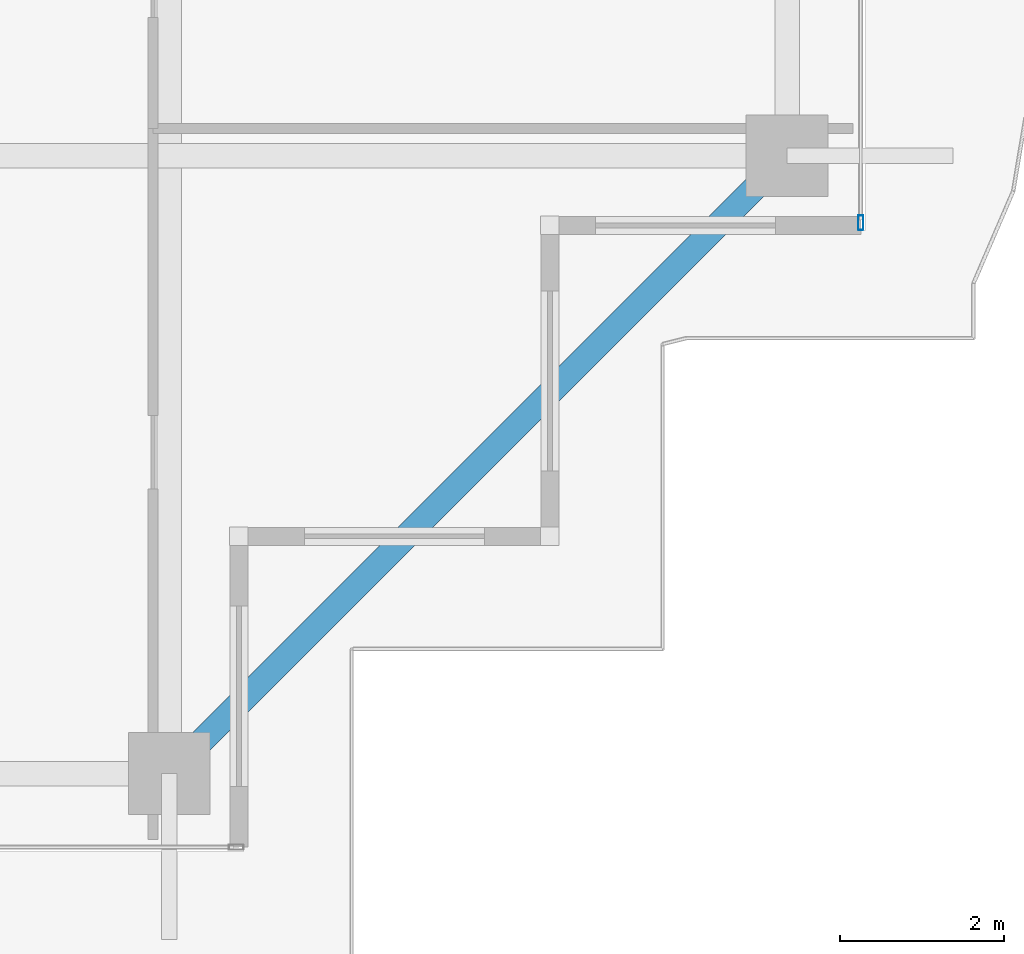
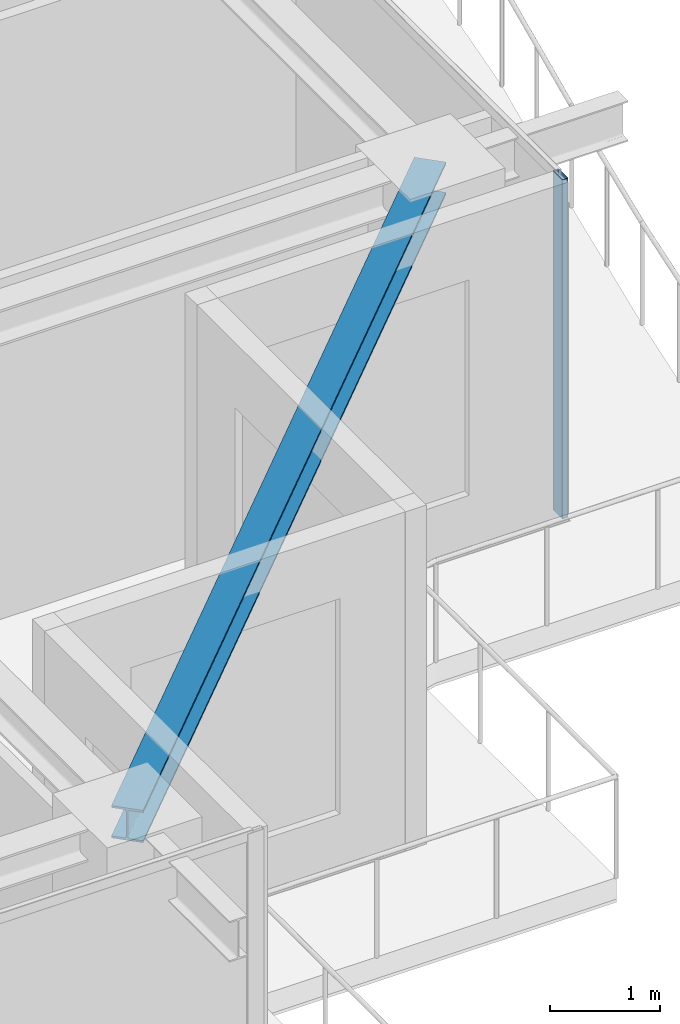
# One storey, part 13 of 40: 1 beam, 1 member, 1 element without a shape of its own.
"""IFC4 building model written with IfcOpenShell, lengths in metres."""

from ifc_helpers import new_model, si_unit, direction, frame, origin, origin_2d, place, context, subcontext, project, spatial, hollow_rectangle, i_section, extrude, source, transform, mapped, material, layer, layer_set, material_profile, profile_set, type_object, element, aggregate, save


model = new_model("IFC4")

# Units and contexts
model_context = context("Model", 3, precision=1e-05, world=origin(), true_north=direction((0.0, 1.0)))
body_context = subcontext(model_context, "Body", "Model", "MODEL_VIEW")
ifc_project = project(units=[si_unit("LENGTHUNIT", "METRE"), si_unit("AREAUNIT", "SQUARE_METRE"), si_unit("VOLUMEUNIT", "CUBIC_METRE"), si_unit("PLANEANGLEUNIT", "RADIAN"), si_unit("MASSUNIT", "GRAM", prefix="KILO")], contexts=[model_context])

# Site, building, storey
site_placement = place(None, origin())
site = spatial("IfcSite", under=ifc_project, at=site_placement, CompositionType="ELEMENT")
building_placement = place(site_placement, origin())
building = spatial("IfcBuilding", under=site, at=building_placement, Name="Serunith Strait Residences", CompositionType="ELEMENT")
storey_placement = place(building_placement, frame((0.0, 0.0, 313.699951171875)))
storey = spatial("IfcBuildingStorey", under=building, at=storey_placement, Name="L78", CompositionType="ELEMENT", Elevation=313.699951171875)

# Beam
ifc_material_1 = material(Name="Steel S355J2", Category="steel")
ifc_material_profile_1 = material_profile(ifc_material_1, i_section(OverallWidth=0.300048828125, OverallDepth=0.360107421875, WebThickness=0.012451171875, FlangeThickness=0.0224609375, FilletRadius=0.027099609375, at=origin_2d()), Name="HEB 360")
ifc_profile_set_1 = profile_set([ifc_material_profile_1], Name="Steel S355J2")
beam_type = type_object("IfcBeamType", Name="BM-HEB360", PredefinedType="BEAM", material=ifc_profile_set_1)
shared_shape_1 = source(origin(), body_context, "Body", "SweptSolid", [
    extrude(i_section(OverallWidth=0.300048828125, OverallDepth=0.360107421875, WebThickness=0.012451171875, FlangeThickness=0.0224609375, FilletRadius=0.027099609375, at=origin_2d()), origin(), (0.0, 0.0, 1.0), 10.677490234375),
])
beam_placement = place(storey_placement, frame((47.14990234375, 3.300048828125, 3.5771484375), z_axis=(0.707106781187, 0.707106781187, 0.0), x_axis=(-0.707106781187, 0.707106781187, 0.0)))
element("IfcBeam", 1, at=beam_placement, inside=storey, type_object=beam_type, Name="L78 Perimeter Ring Beam 04", PredefinedType="BEAM", context=body_context, shape_type="MappedRepresentation", body=[
    mapped(shared_shape_1, transform((0.0, 0.0, 0.0), scale=1.0)),
])

# Curtain wall, member
ifc_material_2 = material(Name="Brushed Stainless-Silver Aluminium", Category="aluminium")
ifc_layer = layer(ifc_material_2, 0.199951171875, Name="Brushed Stainless-Silver Aluminium")
ifc_layer_set = layer_set([ifc_layer], Name="Brushed Stainless-Silver Aluminium")
curtain_wall_type = type_object("IfcCurtainWallType", Name="CW-SYS5", PredefinedType="NOTDEFINED", material=ifc_layer_set)
curtain_wall_placement = place(storey_placement, origin())
curtain_wall = element("IfcCurtainWall", 2, at=curtain_wall_placement, inside=storey, type_object=curtain_wall_type, Name="L78 E Unitised Fritted Curtain Wall", PredefinedType="NOTDEFINED")
ifc_material_profile_2 = material_profile(ifc_material_2, hollow_rectangle(XDim=0.06494140625, YDim=0.179931640625, WallThickness=0.00341796875, InnerFilletRadius=0.00537109375, OuterFilletRadius=0.0087890625, at=origin_2d()), Name="ALU 180x65x3.5")
ifc_profile_set_2 = profile_set([ifc_material_profile_2], Name="Brushed Stainless-Silver Aluminium")
member_type = type_object("IfcMemberType", Name="CW-SYS5-MULL", PredefinedType="MULLION", material=ifc_profile_set_2)
shared_shape_2 = source(origin(), body_context, "Body", "SweptSolid", [
    extrude(hollow_rectangle(XDim=0.06494140625, YDim=0.179931640625, WallThickness=0.00341796875, InnerFilletRadius=0.00537109375, OuterFilletRadius=0.0087890625, at=origin_2d()), origin(), (0.0, 0.0, 1.0), 3.775146484375),
])
member_placement = place(storey_placement, frame((55.60009765625, 10.032470703125, 0.0), z_axis=(0.0, 0.0, 1.0), x_axis=(-1.0, 0.0, 0.0)))
member = element("IfcMember", 3, at=member_placement, type_object=member_type, Name="CW-5 mullion 1", PredefinedType="MULLION", context=body_context, shape_type="MappedRepresentation", body=[
    mapped(shared_shape_2, transform((0.0, 0.0, 0.0), scale=1.0)),
])
aggregate(curtain_wall, [member])

save(model, "model.ifc")
